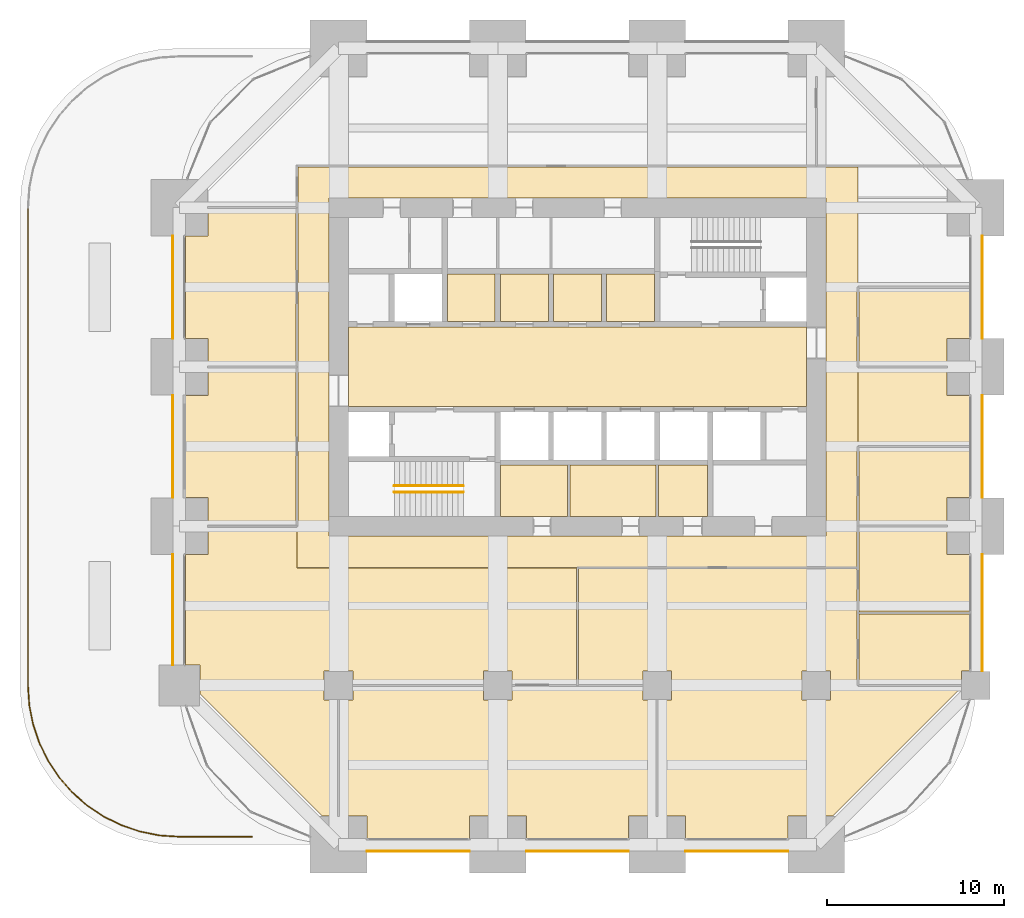
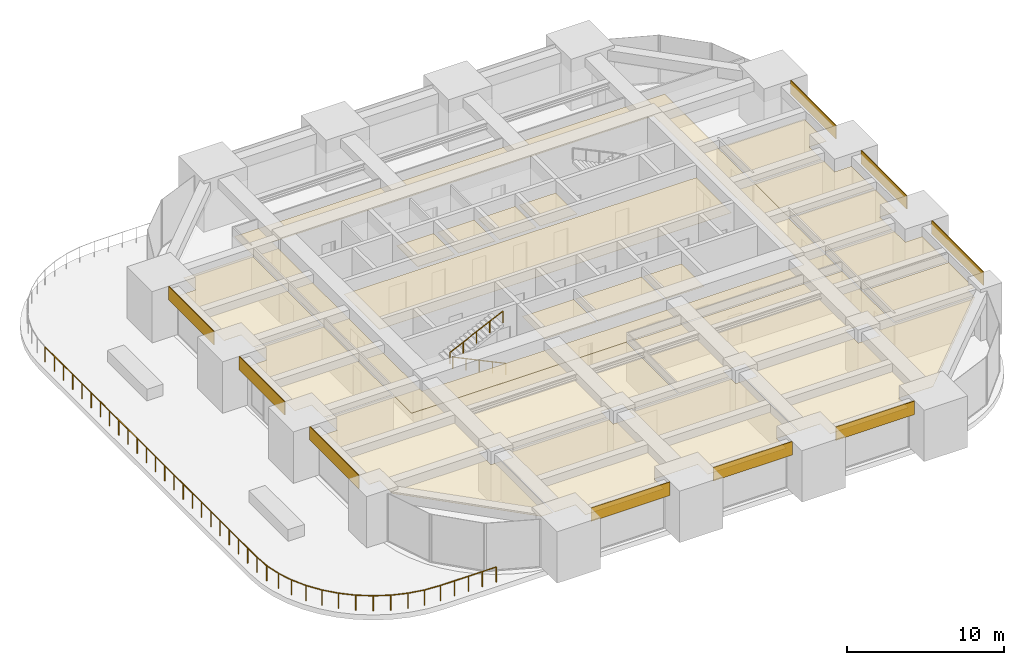
# One storey, part 39 of 40: 28 coverings, 3 railings.
"""IFC4 building model written with IfcOpenShell, lengths in metres."""

from ifc_helpers import new_model, si_unit, direction, frame, frame_2d, origin, origin_2d, place, context, subcontext, project, spatial, polyline, rectangle, circle, outline, extrude, material, layer, layer_set, type_object, element, save


model = new_model("IFC4")

# Units and contexts
model_context = context("Model", 3, precision=1e-05, world=origin(), true_north=direction((0.0, 1.0)))
body_context = subcontext(model_context, "Body", "Model", "MODEL_VIEW")
ifc_project = project(units=[si_unit("LENGTHUNIT", "METRE"), si_unit("AREAUNIT", "SQUARE_METRE"), si_unit("VOLUMEUNIT", "CUBIC_METRE"), si_unit("PLANEANGLEUNIT", "RADIAN"), si_unit("MASSUNIT", "GRAM", prefix="KILO")], contexts=[model_context])

# Site, building, storey
site_placement = place(None, origin())
site = spatial("IfcSite", under=ifc_project, at=site_placement, CompositionType="ELEMENT")
building_placement = place(site_placement, origin())
building = spatial("IfcBuilding", under=site, at=building_placement, Name="Zorevar Civic Tower", CompositionType="ELEMENT")
storey_placement = place(building_placement, frame((0.0, 0.0, 239.39990234375)))
storey = spatial("IfcBuildingStorey", under=building, at=storey_placement, Name="L58", CompositionType="ELEMENT", Elevation=239.39990234375)

# Railings
ifc_material_1 = material(Name="Black steel posts and laminated glass", Category="steel")
railing_type_1 = type_object("IfcRailingType", Name="Guard GR1 1200", PredefinedType="GUARDRAIL", material=ifc_material_1)
railing_1_placement = place(storey_placement, frame((13.11083984375, 0.449951171875, 0.0)))
element("IfcRailing", 1, at=railing_1_placement, inside=storey, type_object=railing_type_1, Name="Guard GR1 L58", PredefinedType="GUARDRAIL", context=body_context, shape_type="SweptSolid", body=[
    extrude(circle(Radius=0.02392578125, at=origin_2d()), frame((0.0, 0.0, 1.17578125), z_axis=(-1.0, 0.0, 0.0), x_axis=(0.0, -1.0, 0.0)), (0.0, 0.0, 1.0), 4.09619140625),
    extrude(circle(Radius=0.02392578125, at=origin_2d()), frame((-4.09619140625, 0.0, 1.17578125), z_axis=(-0.997852333837, 0.065503586587, 0.0), x_axis=(-0.065503586587, -0.997852333837, 0.0)), (0.0, 0.0, 1.0), 1.133056640625),
    extrude(circle(Radius=0.02392578125, at=origin_2d()), frame((-5.226806640625, 0.07421875, 1.17578125), z_axis=(-0.980806763429, 0.194982288456, 0.0), x_axis=(-0.194982288456, -0.980806763429, 0.0)), (0.0, 0.0, 1.0), 1.1181640625),
    extrude(circle(Radius=0.02392578125, at=origin_2d()), frame((-6.323486328125, 0.292236328125, 1.17578125), z_axis=(-0.946877825624, 0.321593506374, 0.0), x_axis=(-0.321593506374, -0.946877825624, 0.0)), (0.0, 0.0, 1.0), 1.1181640625),
    extrude(circle(Radius=0.02392578125, at=origin_2d()), frame((-7.38232421875, 0.65185546875, 1.17578125), z_axis=(-0.896859006823, 0.442316540366, 0.0), x_axis=(-0.442316540366, -0.896859006823, 0.0)), (0.0, 0.0, 1.0), 1.1181640625),
    extrude(circle(Radius=0.02392578125, at=origin_2d()), frame((-8.38525390625, 1.146484375, 1.17578125), z_axis=(-0.831579768311, 0.555405337512, 0.0), x_axis=(-0.555405337512, -0.831579768311, 0.0)), (0.0, 0.0, 1.0), 1.1181640625),
    extrude(circle(Radius=0.02392578125, at=origin_2d()), frame((-9.315185546875, 1.767578125, 1.17578125), z_axis=(-0.751873024363, 0.659307936578, 0.0), x_axis=(-0.659307936578, -0.751873024363, 0.0)), (0.0, 0.0, 1.0), 1.118408203125),
    extrude(circle(Radius=0.02392578125, at=origin_2d()), frame((-10.156005859375, 2.5048828125, 1.17578125), z_axis=(-0.659307936578, 0.751873024363, 0.0), x_axis=(-0.751873024363, -0.659307936578, 0.0)), (0.0, 0.0, 1.0), 1.118408203125),
    extrude(circle(Radius=0.02392578125, at=origin_2d()), frame((-10.893310546875, 3.345703125, 1.17578125), z_axis=(-0.555405337512, 0.831579768311, 0.0), x_axis=(-0.831579768311, -0.555405337512, 0.0)), (0.0, 0.0, 1.0), 1.1181640625),
    extrude(circle(Radius=0.02392578125, at=origin_2d()), frame((-11.514404296875, 4.275634765625, 1.17578125), z_axis=(-0.442316540366, 0.896859006823, 0.0), x_axis=(-0.896859006823, -0.442316540366, 0.0)), (0.0, 0.0, 1.0), 1.1181640625),
    extrude(circle(Radius=0.02392578125, at=origin_2d()), frame((-12.009033203125, 5.278564453125, 1.17578125), z_axis=(-0.321593506374, 0.946877825624, 0.0), x_axis=(-0.946877825624, -0.321593506374, 0.0)), (0.0, 0.0, 1.0), 1.1181640625),
    extrude(circle(Radius=0.02392578125, at=origin_2d()), frame((-12.36865234375, 6.33740234375, 1.17578125), z_axis=(-0.194982288456, 0.980806763429, 0.0), x_axis=(-0.980806763429, -0.194982288456, 0.0)), (0.0, 0.0, 1.0), 1.1181640625),
    extrude(circle(Radius=0.02392578125, at=origin_2d()), frame((-12.586669921875, 7.43408203125, 1.17578125), z_axis=(-0.065503586587, 0.997852333837, 0.0), x_axis=(-0.997852333837, -0.065503586587, 0.0)), (0.0, 0.0, 1.0), 1.133056640625),
    extrude(circle(Radius=0.02392578125, at=origin_2d()), frame((-12.660888671875, 8.564697265625, 1.17578125), z_axis=(0.0, 1.0, 0.0), x_axis=(-1.0, 0.0, 0.0)), (0.0, 0.0, 1.0), 26.970703125),
    extrude(circle(Radius=0.02099609375, at=origin_2d()), origin(), (0.0, 0.0, 1.0), 1.15185546875),
    extrude(circle(Radius=0.02099609375, at=origin_2d()), frame((-1.02392578125, 0.0, 0.0)), (0.0, 0.0, 1.0), 1.15185546875),
    extrude(circle(Radius=0.02099609375, at=origin_2d()), frame((-2.048095703125, 0.0, 0.0)), (0.0, 0.0, 1.0), 1.15185546875),
    extrude(circle(Radius=0.02099609375, at=origin_2d()), frame((-3.072265625, 0.0, 0.0)), (0.0, 0.0, 1.0), 1.15185546875),
    extrude(circle(Radius=0.02099609375, at=origin_2d()), frame((-4.09619140625, 0.0, 0.0)), (0.0, 0.0, 1.0), 1.15185546875),
    extrude(circle(Radius=0.02099609375, at=origin_2d()), frame((-5.226806640625, 0.07421875, 0.0)), (0.0, 0.0, 1.0), 1.15185546875),
    extrude(circle(Radius=0.02099609375, at=origin_2d()), frame((-6.323486328125, 0.292236328125, 0.0)), (0.0, 0.0, 1.0), 1.15185546875),
    extrude(circle(Radius=0.02099609375, at=origin_2d()), frame((-7.38232421875, 0.65185546875, 0.0)), (0.0, 0.0, 1.0), 1.15185546875),
    extrude(circle(Radius=0.02099609375, at=origin_2d()), frame((-8.38525390625, 1.146484375, 0.0)), (0.0, 0.0, 1.0), 1.15185546875),
    extrude(circle(Radius=0.02099609375, at=origin_2d()), frame((-9.315185546875, 1.767578125, 0.0)), (0.0, 0.0, 1.0), 1.15185546875),
    extrude(circle(Radius=0.02099609375, at=origin_2d()), frame((-10.156005859375, 2.5048828125, 0.0)), (0.0, 0.0, 1.0), 1.15185546875),
    extrude(circle(Radius=0.02099609375, at=origin_2d()), frame((-10.893310546875, 3.345703125, 0.0)), (0.0, 0.0, 1.0), 1.15185546875),
    extrude(circle(Radius=0.02099609375, at=origin_2d()), frame((-11.514404296875, 4.275634765625, 0.0)), (0.0, 0.0, 1.0), 1.15185546875),
    extrude(circle(Radius=0.02099609375, at=origin_2d()), frame((-12.009033203125, 5.278564453125, 0.0)), (0.0, 0.0, 1.0), 1.15185546875),
    extrude(circle(Radius=0.02099609375, at=origin_2d()), frame((-12.36865234375, 6.33740234375, 0.0)), (0.0, 0.0, 1.0), 1.15185546875),
    extrude(circle(Radius=0.02099609375, at=origin_2d()), frame((-12.586669921875, 7.43408203125, 0.0)), (0.0, 0.0, 1.0), 1.15185546875),
    extrude(circle(Radius=0.02099609375, at=origin_2d()), frame((-12.660888671875, 8.564697265625, 0.0)), (0.0, 0.0, 1.0), 1.15185546875),
    extrude(circle(Radius=0.02099609375, at=origin_2d()), frame((-12.660888671875, 9.7373046875, 0.0)), (0.0, 0.0, 1.0), 1.15185546875),
    extrude(circle(Radius=0.02099609375, at=origin_2d()), frame((-12.660888671875, 10.909912109375, 0.0)), (0.0, 0.0, 1.0), 1.15185546875),
    extrude(circle(Radius=0.02099609375, at=origin_2d()), frame((-12.660888671875, 12.08251953125, 0.0)), (0.0, 0.0, 1.0), 1.15185546875),
    extrude(circle(Radius=0.02099609375, at=origin_2d()), frame((-12.660888671875, 13.25537109375, 0.0)), (0.0, 0.0, 1.0), 1.15185546875),
    extrude(circle(Radius=0.02099609375, at=origin_2d()), frame((-12.660888671875, 14.427978515625, 0.0)), (0.0, 0.0, 1.0), 1.15185546875),
    extrude(circle(Radius=0.02099609375, at=origin_2d()), frame((-12.660888671875, 15.6005859375, 0.0)), (0.0, 0.0, 1.0), 1.15185546875),
    extrude(circle(Radius=0.02099609375, at=origin_2d()), frame((-12.660888671875, 16.773193359375, 0.0)), (0.0, 0.0, 1.0), 1.15185546875),
    extrude(circle(Radius=0.02099609375, at=origin_2d()), frame((-12.660888671875, 17.94580078125, 0.0)), (0.0, 0.0, 1.0), 1.15185546875),
    extrude(circle(Radius=0.02099609375, at=origin_2d()), frame((-12.660888671875, 19.118408203125, 0.0)), (0.0, 0.0, 1.0), 1.15185546875),
    extrude(circle(Radius=0.02099609375, at=origin_2d()), frame((-12.660888671875, 20.291015625, 0.0)), (0.0, 0.0, 1.0), 1.15185546875),
    extrude(circle(Radius=0.02099609375, at=origin_2d()), frame((-12.660888671875, 21.463623046875, 0.0)), (0.0, 0.0, 1.0), 1.15185546875),
    extrude(circle(Radius=0.02099609375, at=origin_2d()), frame((-12.660888671875, 22.636474609375, 0.0)), (0.0, 0.0, 1.0), 1.15185546875),
    extrude(circle(Radius=0.02099609375, at=origin_2d()), frame((-12.660888671875, 23.80908203125, 0.0)), (0.0, 0.0, 1.0), 1.15185546875),
    extrude(circle(Radius=0.02099609375, at=origin_2d()), frame((-12.660888671875, 24.981689453125, 0.0)), (0.0, 0.0, 1.0), 1.15185546875),
    extrude(circle(Radius=0.02099609375, at=origin_2d()), frame((-12.660888671875, 26.154296875, 0.0)), (0.0, 0.0, 1.0), 1.15185546875),
    extrude(circle(Radius=0.02099609375, at=origin_2d()), frame((-12.660888671875, 27.326904296875, 0.0)), (0.0, 0.0, 1.0), 1.15185546875),
    extrude(circle(Radius=0.02099609375, at=origin_2d()), frame((-12.660888671875, 28.49951171875, 0.0)), (0.0, 0.0, 1.0), 1.15185546875),
    extrude(circle(Radius=0.02099609375, at=origin_2d()), frame((-12.660888671875, 29.672119140625, 0.0)), (0.0, 0.0, 1.0), 1.15185546875),
    extrude(circle(Radius=0.02099609375, at=origin_2d()), frame((-12.660888671875, 30.8447265625, 0.0)), (0.0, 0.0, 1.0), 1.15185546875),
    extrude(circle(Radius=0.02099609375, at=origin_2d()), frame((-12.660888671875, 32.017578125, 0.0)), (0.0, 0.0, 1.0), 1.15185546875),
    extrude(circle(Radius=0.02099609375, at=origin_2d()), frame((-12.660888671875, 33.190185546875, 0.0)), (0.0, 0.0, 1.0), 1.15185546875),
    extrude(circle(Radius=0.02099609375, at=origin_2d()), frame((-12.660888671875, 34.36279296875, 0.0)), (0.0, 0.0, 1.0), 1.15185546875),
    extrude(circle(Radius=0.02099609375, at=origin_2d()), frame((-12.660888671875, 35.535400390625, 0.0)), (0.0, 0.0, 1.0), 1.15185546875),
])
ifc_material_2 = material(Name="Black steel handrail", Category="steel")
railing_type_2 = type_object("IfcRailingType", Name="Handrail HR1 900", PredefinedType="HANDRAIL", material=ifc_material_2)
railing_2_placement = place(storey_placement, frame((25.050048828125, 19.925048828125, 0.14306640625)))
element("IfcRailing", 2, at=railing_2_placement, inside=storey, type_object=railing_type_2, Name="Handrail HR1 ST1 L58", PredefinedType="HANDRAIL", context=body_context, shape_type="SweptSolid", body=[
    extrude(circle(Radius=0.02392578125, at=origin_2d()), frame((0.0, 0.0, 0.8759765625), z_axis=(-0.902885590262, 0.0, 0.429880926418), x_axis=(0.0, -1.0, 0.0)), (0.0, 0.0, 1.0), 4.319580078125),
    extrude(circle(Radius=0.02099609375, at=origin_2d()), origin(), (0.0, 0.0, 1.0), 0.851806640625),
    extrude(circle(Radius=0.02099609375, at=origin_2d()), frame((-0.97509765625, 0.0, 0.46435546875)), (0.0, 0.0, 1.0), 0.851806640625),
    extrude(circle(Radius=0.02099609375, at=origin_2d()), frame((-1.9501953125, 0.0, 0.928466796875)), (0.0, 0.0, 1.0), 0.851806640625),
    extrude(circle(Radius=0.02099609375, at=origin_2d()), frame((-2.925048828125, 0.0, 1.392578125)), (0.0, 0.0, 1.0), 0.851806640625),
    extrude(circle(Radius=0.02099609375, at=origin_2d()), frame((-3.900146484375, 0.0, 1.85693359375)), (0.0, 0.0, 1.0), 0.851806640625),
])
railing_3_placement = place(storey_placement, frame((21.14990234375, 20.27490234375, 2.14306640625)))
element("IfcRailing", 3, at=railing_3_placement, inside=storey, type_object=railing_type_2, Name="Handrail HR1 ST1 L58", PredefinedType="HANDRAIL", context=body_context, shape_type="SweptSolid", body=[
    extrude(circle(Radius=0.02392578125, at=origin_2d()), frame((0.0, 0.0, 0.8759765625), z_axis=(0.902885590262, 0.0, 0.429880926418), x_axis=(0.0, 1.0, 0.0)), (0.0, 0.0, 1.0), 4.319580078125),
    extrude(circle(Radius=0.02099609375, at=origin_2d()), origin(), (0.0, 0.0, 1.0), 0.851806640625),
    extrude(circle(Radius=0.02099609375, at=origin_2d()), frame((0.97509765625, 0.0, 0.46435546875)), (0.0, 0.0, 1.0), 0.851806640625),
    extrude(circle(Radius=0.02099609375, at=origin_2d()), frame((1.9501953125, 0.0, 0.928466796875)), (0.0, 0.0, 1.0), 0.851806640625),
    extrude(circle(Radius=0.02099609375, at=origin_2d()), frame((2.925048828125, 0.0, 1.392578125)), (0.0, 0.0, 1.0), 0.851806640625),
    extrude(circle(Radius=0.02099609375, at=origin_2d()), frame((3.900146484375, 0.0, 1.85693359375)), (0.0, 0.0, 1.0), 0.851806640625),
])

# Coverings
ifc_material_3 = material(Name="Moisture-resistant gypsum board")
ifc_layer_1 = layer(ifc_material_3, 0.012451171875)
ifc_layer_set_1 = layer_set([ifc_layer_1], Name="Moisture-resistant ceiling SC3")
covering_type_1 = type_object("IfcCoveringType", Name="Moisture-resistant ceiling SC3", PredefinedType="CEILING", material=ifc_layer_set_1)
covering_1_placement = place(storey_placement, frame((0.0, 0.0, 3.0)))
element("IfcCovering", 4, at=covering_1_placement, inside=storey, type_object=covering_type_1, Name="Ceiling L58-05", PredefinedType="CEILING", context=body_context, shape_type="SweptSolid", body=[
    extrude(outline(polyline([(30.925048828125, 18.550048828125), (30.925048828125, 21.449951171875), (27.14990234375, 21.449951171875), (27.14990234375, 18.550048828125), (30.925048828125, 18.550048828125)])), origin(), (0.0, 0.0, 1.0), 0.0126953125),
])
covering_2_placement = place(storey_placement, frame((0.0, 0.0, 3.0)))
element("IfcCovering", 5, at=covering_2_placement, inside=storey, type_object=covering_type_1, Name="Ceiling L58-06", PredefinedType="CEILING", context=body_context, shape_type="SweptSolid", body=[
    extrude(outline(polyline([(35.925048828125, 18.550048828125), (35.925048828125, 21.449951171875), (31.074951171875, 21.449951171875), (31.074951171875, 18.550048828125), (35.925048828125, 18.550048828125)])), origin(), (0.0, 0.0, 1.0), 0.0126953125),
])
covering_3_placement = place(storey_placement, frame((0.0, 0.0, 3.0)))
element("IfcCovering", 6, at=covering_3_placement, inside=storey, type_object=covering_type_1, Name="Ceiling L58-07", PredefinedType="CEILING", context=body_context, shape_type="SweptSolid", body=[
    extrude(outline(polyline([(38.85009765625, 18.550048828125), (38.85009765625, 21.449951171875), (36.074951171875, 21.449951171875), (36.074951171875, 18.550048828125), (38.85009765625, 18.550048828125)])), origin(), (0.0, 0.0, 1.0), 0.0126953125),
])
ifc_material_4 = material(Name="Black anodised aluminium spandrel panel", Category="aluminium")
ifc_layer_2 = layer(ifc_material_4, 0.050048828125)
ifc_layer_set_2 = layer_set([ifc_layer_2], Name="Spandrel cladding SP1")
covering_type_2 = type_object("IfcCoveringType", Name="Spandrel cladding SP1", PredefinedType="CLADDING", material=ifc_layer_set_2)
for number, where, z_axis, x_axis, name in (
    (7, (19.60009765625, -0.375, 2.9501953125), (0.0, 0.0, 1.0), (1.0, 0.0, 0.0), "Spandrel cladding L59"),
    (8, (28.60009765625, -0.375, 2.9501953125), (0.0, 0.0, 1.0), (1.0, 0.0, 0.0), "Spandrel cladding L59"),
    (9, (37.60009765625, -0.375, 2.9501953125), (0.0, 0.0, 1.0), (1.0, 0.0, 0.0), "Spandrel cladding L59"),
):
    element("IfcCovering", number, at=place(storey_placement, frame(where, z_axis=z_axis, x_axis=x_axis)), inside=storey, type_object=covering_type_2, Name=name, PredefinedType="CLADDING", context=body_context, shape_type="SweptSolid", body=[
        extrude(rectangle(XDim=5.7998046875, YDim=0.050048828125, at=frame_2d((2.89990234375, 0.0))), origin(), (0.0, 0.0, 1.0), 1.0498046875),
    ])
covering_4_placement = place(storey_placement, frame((8.625, 10.14990234375, 2.9501953125), z_axis=(0.0, 0.0, 1.0), x_axis=(0.0, 1.0, 0.0)))
element("IfcCovering", 10, at=covering_4_placement, inside=storey, type_object=covering_type_2, Name="Spandrel cladding L59", PredefinedType="CLADDING", context=body_context, shape_type="SweptSolid", body=[
    extrude(rectangle(XDim=6.25, YDim=0.050048828125, at=frame_2d((3.125, 0.0))), origin(), (0.0, 0.0, 1.0), 1.0498046875),
])
for number, where, z_axis, x_axis, name in (
    (11, (8.625, 19.60009765625, 2.9501953125), (0.0, 0.0, 1.0), (0.0, 1.0, 0.0), "Spandrel cladding L59"),
    (12, (8.625, 28.60009765625, 2.9501953125), (0.0, 0.0, 1.0), (0.0, 1.0, 0.0), "Spandrel cladding L59"),
):
    element("IfcCovering", number, at=place(storey_placement, frame(where, z_axis=z_axis, x_axis=x_axis)), inside=storey, type_object=covering_type_2, Name=name, PredefinedType="CLADDING", context=body_context, shape_type="SweptSolid", body=[
        extrude(rectangle(XDim=5.7998046875, YDim=0.050048828125, at=frame_2d((2.89990234375, 0.0))), origin(), (0.0, 0.0, 1.0), 1.0498046875),
    ])
covering_5_placement = place(storey_placement, frame((54.375, 9.800048828125, 2.9501953125), z_axis=(0.0, 0.0, 1.0), x_axis=(0.0, 1.0, 0.0)))
element("IfcCovering", 13, at=covering_5_placement, inside=storey, type_object=covering_type_2, Name="Spandrel cladding L59", PredefinedType="CLADDING", context=body_context, shape_type="SweptSolid", body=[
    extrude(rectangle(XDim=6.599853515625, YDim=0.050048828125, at=frame_2d((3.2998046875, 0.0))), origin(), (0.0, 0.0, 1.0), 1.0498046875),
])
for number, where, z_axis, x_axis, name in (
    (14, (54.375, 19.60009765625, 2.9501953125), (0.0, 0.0, 1.0), (0.0, 1.0, 0.0), "Spandrel cladding L59"),
    (15, (54.375, 28.60009765625, 2.9501953125), (0.0, 0.0, 1.0), (0.0, 1.0, 0.0), "Spandrel cladding L59"),
):
    element("IfcCovering", number, at=place(storey_placement, frame(where, z_axis=z_axis, x_axis=x_axis)), inside=storey, type_object=covering_type_2, Name=name, PredefinedType="CLADDING", context=body_context, shape_type="SweptSolid", body=[
        extrude(rectangle(XDim=5.7998046875, YDim=0.050048828125, at=frame_2d((2.89990234375, 0.0))), origin(), (0.0, 0.0, 1.0), 1.0498046875),
    ])
ifc_material_5 = material(Name="Mineral fibre tiles on a concealed grid")
ifc_layer_3 = layer(ifc_material_5, 0.02001953125)
ifc_layer_set_3 = layer_set([ifc_layer_3], Name="Suspended ceiling SC1")
covering_type_3 = type_object("IfcCoveringType", Name="Suspended ceiling SC1", PredefinedType="CEILING", material=ifc_layer_set_3)
covering_6_placement = place(storey_placement, frame((0.0, 0.0, 3.0)))
element("IfcCovering", 16, at=covering_6_placement, inside=storey, type_object=covering_type_3, Name="Ceiling L58-16", PredefinedType="CEILING", context=body_context, shape_type="SweptSolid", body=[
    extrude(outline(polyline([(44.449951171875, 24.75), (44.449951171875, 29.25), (18.550048828125, 29.25), (18.550048828125, 24.75), (44.449951171875, 24.75)])), origin(), (0.0, 0.0, 1.0), 0.02001953125),
])
covering_7_placement = place(storey_placement, frame((0.0, 0.0, 3.0)))
element("IfcCovering", 17, at=covering_7_placement, inside=storey, type_object=covering_type_3, Name="Ceiling L58-17", PredefinedType="CEILING", context=body_context, shape_type="SweptSolid", body=[
    extrude(outline(polyline([(35.85009765625, 29.550048828125), (35.85009765625, 32.25), (33.14990234375, 32.25), (33.14990234375, 29.550048828125), (35.85009765625, 29.550048828125)])), origin(), (0.0, 0.0, 1.0), 0.02001953125),
])
covering_8_placement = place(storey_placement, frame((0.0, 0.0, 3.0)))
element("IfcCovering", 18, at=covering_8_placement, inside=storey, type_object=covering_type_3, Name="Ceiling L58-18", PredefinedType="CEILING", context=body_context, shape_type="SweptSolid", body=[
    extrude(outline(polyline([(32.85009765625, 29.550048828125), (32.85009765625, 32.25), (30.14990234375, 32.25), (30.14990234375, 29.550048828125), (32.85009765625, 29.550048828125)])), origin(), (0.0, 0.0, 1.0), 0.02001953125),
])
covering_9_placement = place(storey_placement, frame((0.0, 0.0, 3.0)))
element("IfcCovering", 19, at=covering_9_placement, inside=storey, type_object=covering_type_3, Name="Ceiling L58-19", PredefinedType="CEILING", context=body_context, shape_type="SweptSolid", body=[
    extrude(outline(polyline([(29.85009765625, 29.550048828125), (29.85009765625, 32.25), (27.14990234375, 32.25), (27.14990234375, 29.550048828125), (29.85009765625, 29.550048828125)])), origin(), (0.0, 0.0, 1.0), 0.02001953125),
])
covering_10_placement = place(storey_placement, frame((0.0, 0.0, 3.0)))
element("IfcCovering", 20, at=covering_10_placement, inside=storey, type_object=covering_type_3, Name="Ceiling L58-20", PredefinedType="CEILING", context=body_context, shape_type="SweptSolid", body=[
    extrude(outline(polyline([(26.85009765625, 29.550048828125), (26.85009765625, 32.25), (24.14990234375, 32.25), (24.14990234375, 29.550048828125), (26.85009765625, 29.550048828125)])), origin(), (0.0, 0.0, 1.0), 0.02001953125),
])
covering_11_placement = place(storey_placement, frame((0.0, 0.0, 3.0)))
element("IfcCovering", 21, at=covering_11_placement, inside=storey, type_object=covering_type_3, Name="Ceiling L58-21", PredefinedType="CEILING", context=body_context, shape_type="SweptSolid", body=[
    extrude(outline(polyline([(10.610107421875, 19.610107421875), (9.35009765625, 19.610107421875), (9.35009765625, 25.389892578125), (10.610107421875, 25.389892578125), (10.610107421875, 26.93994140625), (15.60009765625, 26.93994140625), (15.60009765625, 18.050048828125), (10.610107421875, 18.050048828125), (10.610107421875, 19.610107421875)])), origin(), (0.0, 0.0, 1.0), 0.02001953125),
])
covering_12_placement = place(storey_placement, frame((0.0, 0.0, 3.0)))
element("IfcCovering", 22, at=covering_12_placement, inside=storey, type_object=covering_type_3, Name="Ceiling L58-22", PredefinedType="CEILING", context=body_context, shape_type="SweptSolid", body=[
    extrude(outline(polyline([(10.610107421875, 28.610107421875), (9.35009765625, 28.610107421875), (9.35009765625, 34.389892578125), (10.610107421875, 34.389892578125), (10.610107421875, 35.93994140625), (15.590087890625, 35.93994140625), (15.590087890625, 27.06005859375), (10.610107421875, 27.06005859375), (10.610107421875, 28.610107421875)])), origin(), (0.0, 0.0, 1.0), 0.02001953125),
])
covering_13_placement = place(storey_placement, frame((0.0, 0.0, 3.0)))
element("IfcCovering", 23, at=covering_13_placement, inside=storey, type_object=covering_type_3, Name="Ceiling L58-23", PredefinedType="CEILING", context=body_context, shape_type="SweptSolid", body=[
    extrude(outline(polyline([(18.81005859375, 8.18994140625), (18.81005859375, 8.93994140625), (26.18994140625, 8.93994140625), (26.18994140625, 8.18994140625), (27.81005859375, 8.18994140625), (27.81005859375, 8.93994140625), (35.18994140625, 8.93994140625), (35.18994140625, 8.18994140625), (35.93994140625, 8.18994140625), (35.93994140625, 1.610107421875), (34.389892578125, 1.610107421875), (34.389892578125, 0.35009765625), (28.610107421875, 0.35009765625), (28.610107421875, 1.610107421875), (25.389892578125, 1.610107421875), (25.389892578125, 0.35009765625), (19.610107421875, 0.35009765625), (19.610107421875, 1.610107421875), (18.06005859375, 1.610107421875), (18.06005859375, 8.18994140625), (18.81005859375, 8.18994140625)])), origin(), (0.0, 0.0, 1.0), 0.02001953125),
])
covering_14_placement = place(storey_placement, frame((0.0, 0.0, 3.0)))
element("IfcCovering", 24, at=covering_14_placement, inside=storey, type_object=covering_type_3, Name="Ceiling L58-24", PredefinedType="CEILING", context=body_context, shape_type="SweptSolid", body=[
    extrude(outline(polyline([(47.409912109375, 13.0400390625), (53.64990234375, 13.0400390625), (53.64990234375, 9.81005859375), (53.18994140625, 9.81005859375), (53.18994140625, 9.06005859375), (47.409912109375, 9.06005859375), (47.409912109375, 13.0400390625)])), origin(), (0.0, 0.0, 1.0), 0.02001953125),
])
covering_15_placement = place(storey_placement, frame((0.0, 0.0, 3.0)))
element("IfcCovering", 25, at=covering_15_placement, inside=storey, type_object=covering_type_3, Name="Ceiling L58-25", PredefinedType="CEILING", context=body_context, shape_type="SweptSolid", body=[
    extrude(outline(polyline([(47.409912109375, 17.93994140625), (52.389892578125, 17.93994140625), (52.389892578125, 16.389892578125), (53.64990234375, 16.389892578125), (53.64990234375, 13.159912109375), (47.409912109375, 13.159912109375), (47.409912109375, 17.93994140625)])), origin(), (0.0, 0.0, 1.0), 0.02001953125),
])
covering_16_placement = place(storey_placement, frame((0.0, 0.0, 3.0)))
element("IfcCovering", 26, at=covering_16_placement, inside=storey, type_object=covering_type_3, Name="Ceiling L58-26", PredefinedType="CEILING", context=body_context, shape_type="SweptSolid", body=[
    extrude(outline(polyline([(47.409912109375, 22.43994140625), (53.64990234375, 22.43994140625), (53.64990234375, 19.610107421875), (52.389892578125, 19.610107421875), (52.389892578125, 18.06005859375), (47.409912109375, 18.06005859375), (47.409912109375, 22.43994140625)])), origin(), (0.0, 0.0, 1.0), 0.02001953125),
])
covering_17_placement = place(storey_placement, frame((0.0, 0.0, 3.0)))
element("IfcCovering", 27, at=covering_17_placement, inside=storey, type_object=covering_type_3, Name="Ceiling L58-27", PredefinedType="CEILING", context=body_context, shape_type="SweptSolid", body=[
    extrude(outline(polyline([(47.409912109375, 31.43994140625), (53.64990234375, 31.43994140625), (53.64990234375, 28.610107421875), (52.389892578125, 28.610107421875), (52.389892578125, 27.06005859375), (47.409912109375, 27.06005859375), (47.409912109375, 31.43994140625)])), origin(), (0.0, 0.0, 1.0), 0.02001953125),
])
covering_18_placement = place(storey_placement, frame((0.0, 0.0, 3.0)))
element("IfcCovering", 28, at=covering_18_placement, inside=storey, type_object=covering_type_3, Name="Ceiling L58-29", PredefinedType="CEILING", context=body_context, shape_type="SweptSolid", body=[
    extrude(outline(polyline([(15.64990234375, 15.64990234375), (15.64990234375, 18.0), (15.699951171875, 18.0), (15.699951171875, 27.0), (15.7099609375, 27.0), (15.7099609375, 36.0), (15.64990234375, 36.0), (15.64990234375, 36.010009765625), (15.699951171875, 36.010009765625), (15.699951171875, 38.300048828125), (45.0, 38.300048828125), (45.0, 38.2900390625), (47.35009765625, 38.2900390625), (47.35009765625, 31.5), (47.2900390625, 31.5), (47.2900390625, 27.0), (47.35009765625, 27.0), (47.35009765625, 22.5), (47.2900390625, 22.5), (47.2900390625, 15.699951171875), (31.5, 15.699951171875), (31.5, 15.64990234375), (15.64990234375, 15.64990234375)]), holes=[polyline([(17.449951171875, 36.550048828125), (17.449951171875, 17.449951171875), (45.550048828125, 17.449951171875), (45.550048828125, 36.550048828125), (17.449951171875, 36.550048828125)])]), origin(), (0.0, 0.0, 1.0), 0.02001953125),
])
covering_19_placement = place(storey_placement, frame((0.0, 0.0, 3.0)))
element("IfcCovering", 29, at=covering_19_placement, inside=storey, type_object=covering_type_3, Name="Ceiling L58-31", PredefinedType="CEILING", context=body_context, shape_type="SweptSolid", body=[
    extrude(outline(polyline([(52.389892578125, 26.93994140625), (52.389892578125, 25.389892578125), (53.64990234375, 25.389892578125), (53.64990234375, 22.56005859375), (47.35009765625, 22.56005859375), (47.35009765625, 26.93994140625), (52.389892578125, 26.93994140625)])), origin(), (0.0, 0.0, 1.0), 0.02001953125),
])
covering_20_placement = place(storey_placement, frame((0.0, 0.0, 3.0)))
element("IfcCovering", 30, at=covering_20_placement, inside=storey, type_object=covering_type_3, Name="Ceiling L58-34", PredefinedType="CEILING", context=body_context, shape_type="SweptSolid", body=[
    extrude(outline(polyline([(18.81005859375, 9.81005859375), (17.18994140625, 9.81005859375), (17.18994140625, 8.18994140625), (17.93896484375, 8.18994140625), (17.93896484375, 1.610107421875), (17.09716796875, 1.610107421875), (10.159912109375, 8.547119140625), (10.159912109375, 10.159912109375), (9.35107421875, 10.159912109375), (9.35107421875, 16.389892578125), (10.610107421875, 16.389892578125), (10.610107421875, 17.949951171875), (15.64990234375, 17.949951171875), (15.64990234375, 15.64892578125), (31.448974609375, 15.64892578125), (31.448974609375, 9.06103515625), (27.81005859375, 9.06103515625), (27.81005859375, 9.81005859375), (26.18994140625, 9.81005859375), (26.18994140625, 9.06103515625), (18.81005859375, 9.06103515625), (18.81005859375, 9.81005859375)])), origin(), (0.0, 0.0, 1.0), 0.02001953125),
])
covering_21_placement = place(storey_placement, frame((0.0, 0.0, 3.0)))
element("IfcCovering", 31, at=covering_21_placement, inside=storey, type_object=covering_type_3, Name="Ceiling L58-35", PredefinedType="CEILING", context=body_context, shape_type="SweptSolid", body=[
    extrude(outline(polyline([(43.389892578125, 1.610107421875), (43.389892578125, 0.35009765625), (37.610107421875, 0.35009765625), (37.610107421875, 1.610107421875), (36.06005859375, 1.610107421875), (36.06005859375, 8.18994140625), (36.81005859375, 8.18994140625), (36.81005859375, 9.81005859375), (35.18994140625, 9.81005859375), (35.18994140625, 9.06005859375), (31.550048828125, 9.06005859375), (31.550048828125, 15.60009765625), (47.2900390625, 15.60009765625), (47.2900390625, 9.0), (47.35009765625, 9.0), (47.35009765625, 8.93994140625), (53.18994140625, 8.93994140625), (53.18994140625, 8.897216796875), (45.90283203125, 1.610107421875), (43.389892578125, 1.610107421875)]), holes=[polyline([(44.18994140625, 8.18994140625), (45.81005859375, 8.18994140625), (45.81005859375, 9.81005859375), (44.18994140625, 9.81005859375), (44.18994140625, 8.18994140625)])]), origin(), (0.0, 0.0, 1.0), 0.02001953125),
])

save(model, "model.ifc")
